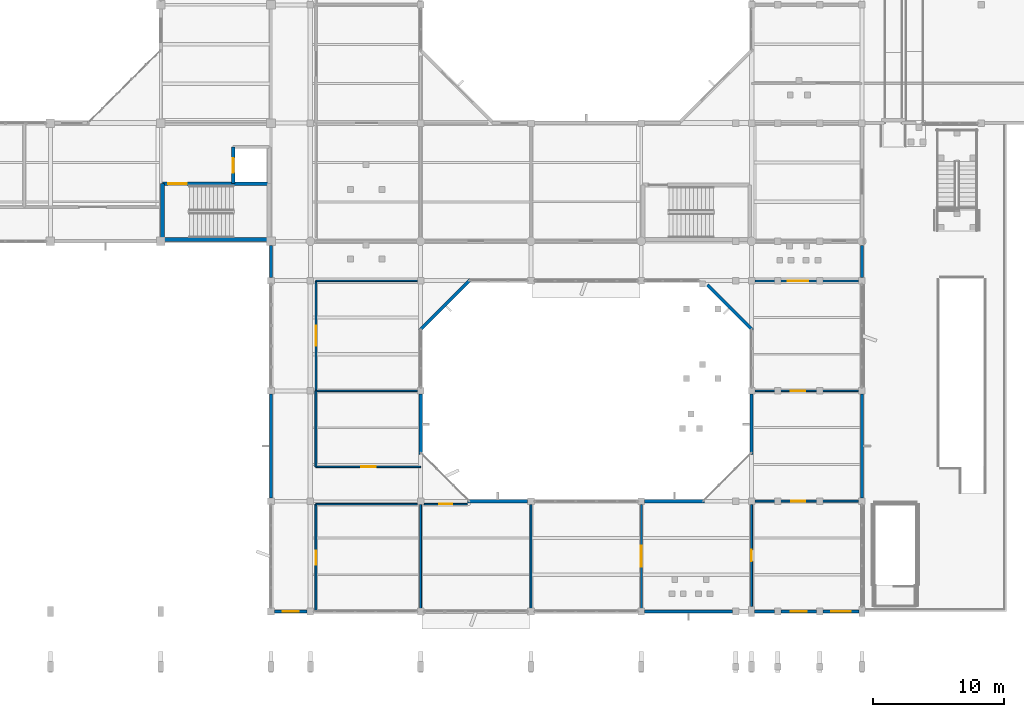
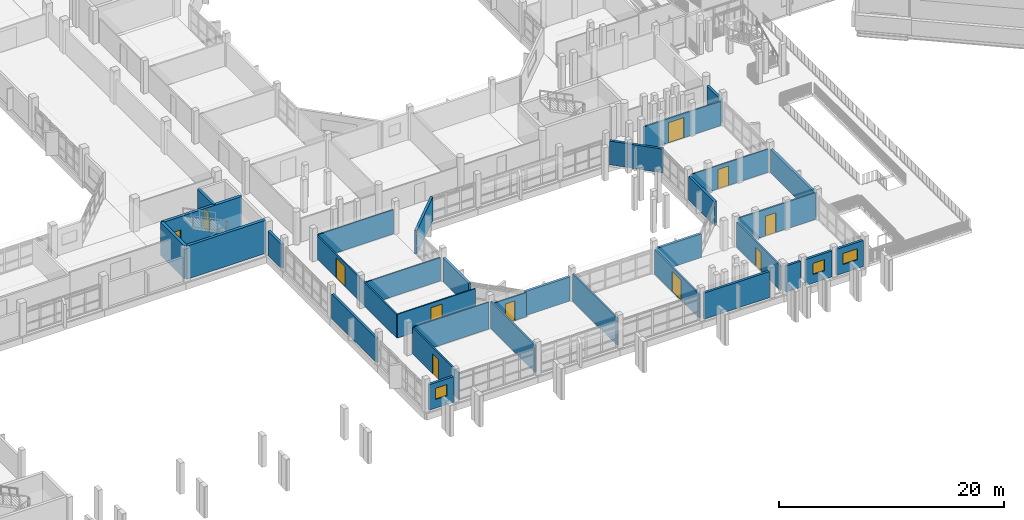
# One storey, part 66 of 104: 34 walls, 11 doors, 3 windows, 14 openings.
"""IFC4 building model written with IfcOpenShell, lengths in metres."""

from ifc_helpers import new_model, si_unit, direction, frame, frame_2d, origin, place, context, subcontext, project, spatial, rectangle, extrude, material, layer, layer_set, type_object, element, fill, save


model = new_model("IFC4")

# Units and contexts
model_context = context("Model", 3, precision=1e-05, world=origin(), true_north=direction((0.0, 1.0)))
body_context = subcontext(model_context, "Body", "Model", "MODEL_VIEW")
ifc_project = project(units=[si_unit("LENGTHUNIT", "METRE"), si_unit("AREAUNIT", "SQUARE_METRE"), si_unit("VOLUMEUNIT", "CUBIC_METRE"), si_unit("PLANEANGLEUNIT", "RADIAN"), si_unit("MASSUNIT", "GRAM", prefix="KILO")], contexts=[model_context])

# Site, building, storey
site_placement = place(None, origin())
site = spatial("IfcSite", under=ifc_project, at=site_placement, CompositionType="ELEMENT")
building_placement = place(site_placement, origin())
building = spatial("IfcBuilding", under=site, at=building_placement, Name="Vanh Quang Courtyard School", CompositionType="ELEMENT")
storey_placement = place(building_placement, frame((0.0, 0.0, 4.199951171875)))
storey = spatial("IfcBuildingStorey", under=building, at=storey_placement, Name="L01", CompositionType="ELEMENT", Elevation=4.199951171875)

# Wall
ifc_material_1 = material(Name="Concrete C35/45", Category="concrete")
ifc_layer_1 = layer(ifc_material_1, 0.300048828125)
ifc_layer_set_1 = layer_set([ifc_layer_1], Name="Concrete C35/45")
wall_type_1 = type_object("IfcWallType", Name="W-CORE-300", PredefinedType="SHEAR", material=ifc_layer_set_1)
wall_1_placement = place(storey_placement, frame((66.139892578125, 32.5400390625, 0.0), z_axis=(0.0, 0.0, 1.0), x_axis=(1.0, 0.0, 0.0)))
element("IfcWall", 1, at=wall_1_placement, inside=storey, type_object=wall_type_1, Name="Wall W-CORE1 (L01)", PredefinedType="SHEAR", context=body_context, shape_type="SweptSolid", body=[
    extrude(rectangle(XDim=8.1201171875, YDim=0.300048828125, at=frame_2d((4.06005859375, 0.0))), origin(), (0.0, 0.0, 1.0), 3.60009765625),
])

# Wall, opening, door
wall_2_placement = place(storey_placement, frame((74.260009765625, 36.780029296875, 0.0), z_axis=(0.0, 0.0, 1.0), x_axis=(-1.0, 0.0, 0.0)))
wall_2 = element("IfcWall", 2, at=wall_2_placement, inside=storey, type_object=wall_type_1, Name="Wall W-CORE1 (L01)", PredefinedType="SHEAR", context=body_context, shape_type="SweptSolid", body=[
    extrude(rectangle(XDim=8.1201171875, YDim=0.300048828125, at=frame_2d((4.06005859375, 0.0))), origin(), (0.0, 0.0, 1.0), 3.60009765625),
])
opening_1_placement = place(wall_2_placement, frame((6.27001953125, 0.0, 0.0)))
opening_1 = element("IfcOpeningElement", 3, at=opening_1_placement, cuts=wall_2, Name="Opening L01-DS4", PredefinedType="OPENING", context=body_context, shape_type="SweptSolid", body=[
    extrude(rectangle(XDim=1.419921875, YDim=2.14990234375, at=frame_2d((0.7099609375, 1.074951171875))), frame((0.0, 0.16015625, 0.0), z_axis=(0.0, -1.0, 0.0), x_axis=(1.0, 0.0, 0.0)), (0.0, 0.0, 1.0), 0.320068359375),
])
ifc_material_2 = material(Name="Painted galvanised steel fire door", Category="steel")
door_type_1 = type_object("IfcDoorType", Name="IDR-ST-1420x2150", OperationType="NOTDEFINED", PredefinedType="DOOR", material=ifc_material_2)
door_1_placement = place(opening_1_placement, frame((1.419921875, 0.0, 0.0), z_axis=(0.0, 0.0, 1.0), x_axis=(-1.0, 0.0, 0.0)))
door_1 = element("IfcDoor", 4, at=door_1_placement, inside=storey, type_object=door_type_1, Name="Door L01-DS4 (L01)", OperationType="SINGLE_SWING_LEFT", OverallHeight=2.14990234375, OverallWidth=1.419921875, PredefinedType="DOOR", context=body_context, shape_type="SweptSolid", body=[
    extrude(rectangle(XDim=1.419921875, YDim=2.14990234375, at=frame_2d((0.7099609375, 1.074951171875))), frame((0.0, 0.02490234375, 0.0), z_axis=(0.0, -1.0, 0.0), x_axis=(1.0, 0.0, 0.0)), (0.0, 0.0, 1.0), 0.050048828125),
])
fill(opening_1, door_1)

# Walls
wall_3_placement = place(storey_placement, frame((66.139892578125, 36.780029296875, 0.0), z_axis=(0.0, 0.0, 1.0), x_axis=(0.0, -1.0, 0.0)))
element("IfcWall", 5, at=wall_3_placement, inside=storey, type_object=wall_type_1, Name="Wall W-CORE1 (L01)", PredefinedType="SHEAR", context=body_context, shape_type="SweptSolid", body=[
    extrude(rectangle(XDim=4.239990234375, YDim=0.300048828125, at=frame_2d((2.1201171875, 0.0))), origin(), (0.0, 0.0, 1.0), 3.60009765625),
])
ifc_material_3 = material(Name="Precast concrete C40/50", Category="concrete")
ifc_layer_2 = layer(ifc_material_3, 0.239990234375)
ifc_layer_set_2 = layer_set([ifc_layer_2], Name="Precast concrete C40/50")
wall_type_2 = type_object("IfcWallType", Name="W-EXT-240", PredefinedType="SOLIDWALL", material=ifc_layer_set_2)
wall_4_placement = place(storey_placement, frame((119.39990234375, 32.076904296875, 0.0), z_axis=(0.0, 0.0, 1.0), x_axis=(0.0, -1.0, 0.0)))
element("IfcWall", 6, at=wall_4_placement, inside=storey, type_object=wall_type_2, Name="Wall WE-03 (L01)", PredefinedType="SOLIDWALL", context=body_context, shape_type="SweptSolid", body=[
    extrude(rectangle(XDim=2.428955078125, YDim=0.239990234375, at=frame_2d((1.21435546875, 0.0))), origin(), (0.0, 0.0, 1.0), 2.580078125),
])
wall_5_placement = place(storey_placement, frame((119.39990234375, 20.751953125, 0.0), z_axis=(0.0, 0.0, 1.0), x_axis=(0.0, -1.0, 0.0)))
element("IfcWall", 7, at=wall_5_placement, inside=storey, type_object=wall_type_2, Name="Wall WE-03 (L01)", PredefinedType="SOLIDWALL", context=body_context, shape_type="SweptSolid", body=[
    extrude(rectangle(XDim=7.904052734375, YDim=0.239990234375, at=frame_2d((3.9521484375, 0.0))), origin(), (0.0, 0.0, 1.0), 2.580078125),
])

# Wall, opening, window
wall_6_placement = place(storey_placement, frame((119.177001953125, 4.199951171875, 0.0), z_axis=(0.0, 0.0, 1.0), x_axis=(-1.0, 0.0, 0.0)))
wall_6 = element("IfcWall", 8, at=wall_6_placement, inside=storey, type_object=wall_type_2, Name="Wall WE-03 (L01)", PredefinedType="SOLIDWALL", context=body_context, shape_type="SweptSolid", body=[
    extrude(rectangle(XDim=2.72900390625, YDim=0.239990234375, at=frame_2d((1.364501953125, 0.0))), origin(), (0.0, 0.0, 1.0), 2.830078125),
])
opening_2_placement = place(wall_6_placement, frame((0.614501953125, 0.0, 0.949951171875)))
opening_2 = element("IfcOpeningElement", 9, at=opening_2_placement, cuts=wall_6, Name="Opening WN-02", PredefinedType="OPENING", context=body_context, shape_type="SweptSolid", body=[
    extrude(rectangle(XDim=1.5, YDim=1.199951171875, at=frame_2d((0.75, 0.60009765625))), frame((0.0, 0.1298828125, 0.0), z_axis=(0.0, -1.0, 0.0), x_axis=(1.0, 0.0, 0.0)), (0.0, 0.0, 1.0), 0.260009765625),
])
ifc_material_4 = material(Name="Anodised aluminium and low-E double glazing", Category="aluminium")
window_type_1 = type_object("IfcWindowType", Name="WIN-TYP-02", PartitioningType="SINGLE_PANEL", PredefinedType="WINDOW", material=ifc_material_4)
window_1_placement = place(opening_2_placement, origin())
window_1 = element("IfcWindow", 10, at=window_1_placement, inside=storey, type_object=window_type_1, Name="Window WN-02 (L01)", OverallHeight=1.199951171875, OverallWidth=1.5, PartitioningType="SINGLE_PANEL", PredefinedType="WINDOW", context=body_context, shape_type="SweptSolid", body=[
    extrude(rectangle(XDim=1.5, YDim=1.199951171875, at=frame_2d((0.75, 0.60009765625))), frame((0.0, 0.030029296875, 0.0), z_axis=(0.0, -1.0, 0.0), x_axis=(1.0, 0.0, 0.0)), (0.0, 0.0, 1.0), 0.06005859375),
])
fill(opening_2, window_1)

wall_7_placement = place(storey_placement, frame((115.951904296875, 4.199951171875, 0.0), z_axis=(0.0, 0.0, 1.0), x_axis=(-1.0, 0.0, 0.0)))
wall_7 = element("IfcWall", 11, at=wall_7_placement, inside=storey, type_object=wall_type_2, Name="Wall WE-03 (L01)", PredefinedType="SOLIDWALL", context=body_context, shape_type="SweptSolid", body=[
    extrude(rectangle(XDim=2.703857421875, YDim=0.239990234375, at=frame_2d((1.35205078125, 0.0))), origin(), (0.0, 0.0, 1.0), 2.830078125),
])
opening_3_placement = place(wall_7_placement, frame((0.751953125, 0.0, 0.949951171875)))
opening_3 = element("IfcOpeningElement", 12, at=opening_3_placement, cuts=wall_7, Name="Opening WN-01", PredefinedType="OPENING", context=body_context, shape_type="SweptSolid", body=[
    extrude(rectangle(XDim=1.199951171875, YDim=1.199951171875, at=frame_2d((0.60009765625, 0.60009765625))), frame((0.0, 0.1298828125, 0.0), z_axis=(0.0, -1.0, 0.0), x_axis=(1.0, 0.0, 0.0)), (0.0, 0.0, 1.0), 0.260009765625),
])
window_type_2 = type_object("IfcWindowType", Name="WIN-TYP-01", PartitioningType="SINGLE_PANEL", PredefinedType="WINDOW", material=ifc_material_4)
window_2_placement = place(opening_3_placement, origin())
window_2 = element("IfcWindow", 13, at=window_2_placement, inside=storey, type_object=window_type_2, Name="Window WN-01 (L01)", OverallHeight=1.199951171875, OverallWidth=1.199951171875, PartitioningType="SINGLE_PANEL", PredefinedType="WINDOW", context=body_context, shape_type="SweptSolid", body=[
    extrude(rectangle(XDim=1.199951171875, YDim=1.199951171875, at=frame_2d((0.60009765625, 0.60009765625))), frame((0.0, 0.030029296875, 0.0), z_axis=(0.0, -1.0, 0.0), x_axis=(1.0, 0.0, 0.0)), (0.0, 0.0, 1.0), 0.06005859375),
])
fill(opening_3, window_2)

# Walls
wall_8_placement = place(storey_placement, frame((112.751953125, 4.199951171875, 0.0), z_axis=(0.0, 0.0, 1.0), x_axis=(-1.0, 0.0, 0.0)))
element("IfcWall", 14, at=wall_8_placement, inside=storey, type_object=wall_type_2, Name="Wall WE-03 (L01)", PredefinedType="SOLIDWALL", context=body_context, shape_type="SweptSolid", body=[
    extrude(rectangle(XDim=1.529052734375, YDim=0.239990234375, at=frame_2d((0.7646484375, 0.0))), origin(), (0.0, 0.0, 1.0), 2.830078125),
])
wall_9_placement = place(storey_placement, frame((109.552001953125, 4.199951171875, 0.0), z_axis=(0.0, 0.0, 1.0), x_axis=(-1.0, 0.0, 0.0)))
element("IfcWall", 15, at=wall_9_placement, inside=storey, type_object=wall_type_2, Name="Wall WE-03 (L01)", PredefinedType="SOLIDWALL", context=body_context, shape_type="SweptSolid", body=[
    extrude(rectangle(XDim=6.7041015625, YDim=0.239990234375, at=frame_2d((3.35205078125, 0.0))), origin(), (0.0, 0.0, 1.0), 2.830078125),
])

# Wall, opening, window
wall_10_placement = place(storey_placement, frame((77.152099609375, 4.199951171875, 0.0), z_axis=(0.0, 0.0, 1.0), x_axis=(-1.0, 0.0, 0.0)))
wall_10 = element("IfcWall", 16, at=wall_10_placement, inside=storey, type_object=wall_type_2, Name="Wall WE-03 (L01)", PredefinedType="SOLIDWALL", context=body_context, shape_type="SweptSolid", body=[
    extrude(rectangle(XDim=2.504150390625, YDim=0.239990234375, at=frame_2d((1.251953125, 0.0))), origin(), (0.0, 0.0, 1.0), 2.77001953125),
])
opening_4_placement = place(wall_10_placement, frame((0.652099609375, 0.0, 0.949951171875)))
opening_4 = element("IfcOpeningElement", 17, at=opening_4_placement, cuts=wall_10, Name="Opening WN-01", PredefinedType="OPENING", context=body_context, shape_type="SweptSolid", body=[
    extrude(rectangle(XDim=1.199951171875, YDim=1.199951171875, at=frame_2d((0.60009765625, 0.60009765625))), frame((0.0, 0.1298828125, 0.0), z_axis=(0.0, -1.0, 0.0), x_axis=(1.0, 0.0, 0.0)), (0.0, 0.0, 1.0), 0.260009765625),
])
window_3_placement = place(opening_4_placement, origin())
window_3 = element("IfcWindow", 18, at=window_3_placement, inside=storey, type_object=window_type_2, Name="Window WN-01 (L01)", OverallHeight=1.199951171875, OverallWidth=1.199951171875, PartitioningType="SINGLE_PANEL", PredefinedType="WINDOW", context=body_context, shape_type="SweptSolid", body=[
    extrude(rectangle(XDim=1.199951171875, YDim=1.199951171875, at=frame_2d((0.60009765625, 0.60009765625))), frame((0.0, 0.030029296875, 0.0), z_axis=(0.0, -1.0, 0.0), x_axis=(1.0, 0.0, 0.0)), (0.0, 0.0, 1.0), 0.06005859375),
])
fill(opening_4, window_3)

# Walls
wall_11_placement = place(storey_placement, frame((74.39990234375, 12.847900390625, 0.0), z_axis=(0.0, 0.0, 1.0), x_axis=(0.0, 1.0, 0.0)))
element("IfcWall", 19, at=wall_11_placement, inside=storey, type_object=wall_type_2, Name="Wall WE-03 (L01)", PredefinedType="SOLIDWALL", context=body_context, shape_type="SweptSolid", body=[
    extrude(rectangle(XDim=7.904052734375, YDim=0.239990234375, at=frame_2d((3.9521484375, 0.0))), origin(), (0.0, 0.0, 1.0), 2.6201171875),
])
wall_12_placement = place(storey_placement, frame((74.39990234375, 29.64794921875, 0.0), z_axis=(0.0, 0.0, 1.0), x_axis=(0.0, 1.0, 0.0)))
element("IfcWall", 20, at=wall_12_placement, inside=storey, type_object=wall_type_2, Name="Wall WE-03 (L01)", PredefinedType="SOLIDWALL", context=body_context, shape_type="SweptSolid", body=[
    extrude(rectangle(XDim=2.428955078125, YDim=0.239990234375, at=frame_2d((1.21435546875, 0.0))), origin(), (0.0, 0.0, 1.0), 2.60009765625),
])
wall_13_placement = place(storey_placement, frame((89.3759765625, 12.60009765625, 0.0), z_axis=(0.0, 0.0, 1.0), x_axis=(1.0, 0.0, 0.0)))
element("IfcWall", 21, at=wall_13_placement, inside=storey, type_object=wall_type_2, Name="Wall WE-03 (L01)", PredefinedType="SOLIDWALL", context=body_context, shape_type="SweptSolid", body=[
    extrude(rectangle(XDim=4.575927734375, YDim=0.239990234375, at=frame_2d((2.2880859375, 0.0))), origin(), (0.0, 0.0, 1.0), 2.6201171875),
])
wall_14_placement = place(storey_placement, frame((102.847900390625, 12.60009765625, 0.0), z_axis=(0.0, 0.0, 1.0), x_axis=(1.0, 0.0, 0.0)))
element("IfcWall", 22, at=wall_14_placement, inside=storey, type_object=wall_type_2, Name="Wall WE-03 (L01)", PredefinedType="SOLIDWALL", context=body_context, shape_type="SweptSolid", body=[
    extrude(rectangle(XDim=4.576171875, YDim=0.239990234375, at=frame_2d((2.2880859375, 0.0))), origin(), (0.0, 0.0, 1.0), 2.580078125),
])
wall_15_placement = place(storey_placement, frame((111.0, 16.176025390625, 0.0), z_axis=(0.0, 0.0, 1.0), x_axis=(0.0, 1.0, 0.0)))
element("IfcWall", 23, at=wall_15_placement, inside=storey, type_object=wall_type_2, Name="Wall WE-03 (L01)", PredefinedType="SOLIDWALL", context=body_context, shape_type="SweptSolid", body=[
    extrude(rectangle(XDim=4.575927734375, YDim=0.239990234375, at=frame_2d((2.2880859375, 0.0))), origin(), (0.0, 0.0, 1.0), 2.580078125),
])
wall_16_placement = place(storey_placement, frame((111.0849609375, 25.619140625, 0.0), z_axis=(0.0, 0.0, 1.0), x_axis=(-0.707131732466, 0.707081829027, 0.0)))
element("IfcWall", 24, at=wall_16_placement, inside=storey, type_object=wall_type_2, Name="Wall WE-03 (L01)", PredefinedType="SOLIDWALL", context=body_context, shape_type="SweptSolid", body=[
    extrude(rectangle(XDim=4.892333984375, YDim=0.239990234375, at=frame_2d((2.4462890625, 0.0))), origin(), (0.0, 0.0, 1.0), 2.580078125),
])
wall_17_placement = place(storey_placement, frame((89.580810546875, 29.48486328125, 0.0), z_axis=(0.0, 0.0, 1.0), x_axis=(-0.707106781187, -0.707106781187, 0.0)))
element("IfcWall", 25, at=wall_17_placement, inside=storey, type_object=wall_type_2, Name="Wall WE-03 (L01)", PredefinedType="SOLIDWALL", context=body_context, shape_type="SweptSolid", body=[
    extrude(rectangle(XDim=5.467041015625, YDim=0.239990234375, at=frame_2d((2.7333984375, 0.0))), origin(), (0.0, 0.0, 1.0), 2.580078125),
])
wall_18_placement = place(storey_placement, frame((85.800048828125, 20.751953125, 0.0), z_axis=(0.0, 0.0, 1.0), x_axis=(0.0, -1.0, 0.0)))
element("IfcWall", 26, at=wall_18_placement, inside=storey, type_object=wall_type_2, Name="Wall WE-03 (L01)", PredefinedType="SOLIDWALL", context=body_context, shape_type="SweptSolid", body=[
    extrude(rectangle(XDim=4.575927734375, YDim=0.239990234375, at=frame_2d((2.2880859375, 0.0))), origin(), (0.0, 0.0, 1.0), 2.580078125),
])
ifc_material_5 = material(Name="Acoustic gypsum stud partition", Category="gypsum")
ifc_layer_3 = layer(ifc_material_5, 0.1201171875)
ifc_layer_set_3 = layer_set([ifc_layer_3], Name="Acoustic gypsum stud partition")
wall_type_3 = type_object("IfcWallType", Name="W-PART-120", PredefinedType="PARTITIONING", material=ifc_layer_set_3)
wall_19_placement = place(storey_placement, frame((77.820068359375, 12.3798828125, 0.0), z_axis=(0.0, 0.0, 1.0), x_axis=(1.0, 0.0, 0.0)))
element("IfcWall", 27, at=wall_19_placement, inside=storey, type_object=wall_type_3, Name="Wall W-PRT2 (L01)", PredefinedType="PARTITIONING", context=body_context, shape_type="SweptSolid", body=[
    extrude(rectangle(XDim=7.73193359375, YDim=0.1201171875, at=frame_2d((3.865966796875, 0.0))), origin(), (0.0, 0.0, 1.0), 2.929931640625),
])

# Wall, opening, door
wall_20_placement = place(storey_placement, frame((85.800048828125, 15.219970703125, 0.0), z_axis=(0.0, 0.0, 1.0), x_axis=(-1.0, 0.0, 0.0)))
wall_20 = element("IfcWall", 28, at=wall_20_placement, inside=storey, type_object=wall_type_3, Name="Wall W-PRT2 (L01)", PredefinedType="PARTITIONING", context=body_context, shape_type="SweptSolid", body=[
    extrude(rectangle(XDim=7.97998046875, YDim=0.1201171875, at=frame_2d((3.989990234375, 0.0))), origin(), (0.0, 0.0, 1.0), 2.580078125),
])
opening_5_placement = place(wall_20_placement, frame((3.43994140625, 0.0, 0.0)))
opening_5 = element("IfcOpeningElement", 29, at=opening_5_placement, cuts=wall_20, Name="Opening L01-D064", PredefinedType="OPENING", context=body_context, shape_type="SweptSolid", body=[
    extrude(rectangle(XDim=1.10009765625, YDim=2.10009765625, at=frame_2d((0.550048828125, 1.050048828125))), frame((0.0, 0.070068359375, 0.0), z_axis=(0.0, -1.0, 0.0), x_axis=(1.0, 0.0, 0.0)), (0.0, 0.0, 1.0), 0.14013671875),
])
ifc_material_6 = material(Name="Solid-core hardwood acoustic door", Category="wood")
door_type_2 = type_object("IfcDoorType", Name="IDR-CLS-1100x2100", OperationType="NOTDEFINED", PredefinedType="DOOR", material=ifc_material_6)
door_2_placement = place(opening_5_placement, origin())
door_2 = element("IfcDoor", 30, at=door_2_placement, inside=storey, type_object=door_type_2, Name="Door L01-D064 (L01)", OperationType="SINGLE_SWING_LEFT", OverallHeight=2.10009765625, OverallWidth=1.10009765625, PredefinedType="DOOR", context=body_context, shape_type="SweptSolid", body=[
    extrude(rectangle(XDim=1.10009765625, YDim=2.10009765625, at=frame_2d((0.550048828125, 1.050048828125))), frame((0.0, 0.02490234375, 0.0), z_axis=(0.0, -1.0, 0.0), x_axis=(1.0, 0.0, 0.0)), (0.0, 0.0, 1.0), 0.050048828125),
])
fill(opening_5, door_2)

# Walls
wall_21_placement = place(storey_placement, frame((77.820068359375, 21.0, 0.0), z_axis=(0.0, 0.0, 1.0), x_axis=(1.0, 0.0, 0.0)))
element("IfcWall", 31, at=wall_21_placement, inside=storey, type_object=wall_type_3, Name="Wall W-PRT2 (L01)", PredefinedType="PARTITIONING", context=body_context, shape_type="SweptSolid", body=[
    extrude(rectangle(XDim=7.73193359375, YDim=0.1201171875, at=frame_2d((3.865966796875, 0.0))), origin(), (0.0, 0.0, 1.0), 2.530029296875),
])
wall_22_placement = place(storey_placement, frame((77.820068359375, 29.3798828125, 0.0), z_axis=(0.0, 0.0, 1.0), x_axis=(1.0, 0.0, 0.0)))
element("IfcWall", 32, at=wall_22_placement, inside=storey, type_object=wall_type_3, Name="Wall W-PRT2 (L01)", PredefinedType="PARTITIONING", context=body_context, shape_type="SweptSolid", body=[
    extrude(rectangle(XDim=7.73193359375, YDim=0.1201171875, at=frame_2d((3.865966796875, 0.0))), origin(), (0.0, 0.0, 1.0), 2.630126953125),
])

# Wall, opening, door
wall_23_placement = place(storey_placement, frame((86.048095703125, 12.380126953125, 0.0), z_axis=(0.0, 0.0, 1.0), x_axis=(0.99999997562, 0.00022081554, 0.0)))
wall_23 = element("IfcWall", 33, at=wall_23_placement, inside=storey, type_object=wall_type_3, Name="Wall W-PRT2 (L01)", PredefinedType="PARTITIONING", context=body_context, shape_type="SweptSolid", body=[
    extrude(rectangle(XDim=3.31689453125, YDim=0.1201171875, at=frame_2d((1.658447265625, 0.0))), origin(), (0.0, 0.0, 1.0), 2.6201171875),
])
opening_6_placement = place(wall_23_placement, frame((1.16845703125, 0.0, 0.0)))
opening_6 = element("IfcOpeningElement", 34, at=opening_6_placement, cuts=wall_23, Name="Opening L01-D071", PredefinedType="OPENING", context=body_context, shape_type="SweptSolid", body=[
    extrude(rectangle(XDim=0.97998046875, YDim=2.1201171875, at=frame_2d((0.489990234375, 1.06005859375))), frame((0.0, 0.070068359375, 0.0), z_axis=(0.0, -1.0, 0.0), x_axis=(1.0, 0.0, 0.0)), (0.0, 0.0, 1.0), 0.14013671875),
])
door_type_3 = type_object("IfcDoorType", Name="IDR-CLS-1050x2100", OperationType="NOTDEFINED", PredefinedType="DOOR", material=ifc_material_6)
door_3_placement = place(opening_6_placement, origin())
door_3 = element("IfcDoor", 35, at=door_3_placement, inside=storey, type_object=door_type_3, Name="Door L01-D071 (L01)", OperationType="SINGLE_SWING_RIGHT", OverallHeight=2.1201171875, OverallWidth=0.97998046875, PredefinedType="DOOR", context=body_context, shape_type="SweptSolid", body=[
    extrude(rectangle(XDim=0.97998046875, YDim=2.1201171875, at=frame_2d((0.489990234375, 1.06005859375))), frame((0.0, 0.02490234375, 0.0), z_axis=(0.0, -1.0, 0.0), x_axis=(1.0, 0.0, 0.0)), (0.0, 0.0, 1.0), 0.050048828125),
])
fill(opening_6, door_3)

wall_24_placement = place(storey_placement, frame((111.248046875, 21.0, 0.0), z_axis=(0.0, 0.0, 1.0), x_axis=(1.0, 0.0, 0.0)))
wall_24 = element("IfcWall", 36, at=wall_24_placement, inside=storey, type_object=wall_type_3, Name="Wall W-PRT2 (L01)", PredefinedType="PARTITIONING", context=body_context, shape_type="SweptSolid", body=[
    extrude(rectangle(XDim=7.904052734375, YDim=0.1201171875, at=frame_2d((3.9521484375, 0.0))), origin(), (0.0, 0.0, 1.0), 2.530029296875),
])
opening_7_placement = place(wall_24_placement, frame((2.751953125, 0.0, 0.0)))
opening_7 = element("IfcOpeningElement", 37, at=opening_7_placement, cuts=wall_24, Name="Opening L01-D084", PredefinedType="OPENING", context=body_context, shape_type="SweptSolid", body=[
    extrude(rectangle(XDim=1.10009765625, YDim=2.10009765625, at=frame_2d((0.550048828125, 1.050048828125))), frame((0.0, 0.070068359375, 0.0), z_axis=(0.0, -1.0, 0.0), x_axis=(1.0, 0.0, 0.0)), (0.0, 0.0, 1.0), 0.14013671875),
])
door_4_placement = place(opening_7_placement, origin())
door_4 = element("IfcDoor", 38, at=door_4_placement, inside=storey, type_object=door_type_2, Name="Door L01-D084 (L01)", OperationType="SINGLE_SWING_LEFT", OverallHeight=2.10009765625, OverallWidth=1.10009765625, PredefinedType="DOOR", context=body_context, shape_type="SweptSolid", body=[
    extrude(rectangle(XDim=1.10009765625, YDim=2.10009765625, at=frame_2d((0.550048828125, 1.050048828125))), frame((0.0, 0.02490234375, 0.0), z_axis=(0.0, -1.0, 0.0), x_axis=(1.0, 0.0, 0.0)), (0.0, 0.0, 1.0), 0.050048828125),
])
fill(opening_7, door_4)

ifc_material_7 = material(Name="Autoclaved aerated masonry blockwork", Category="masonry")
ifc_layer_4 = layer(ifc_material_7, 0.14990234375)
ifc_layer_set_4 = layer_set([ifc_layer_4], Name="Autoclaved aerated masonry blockwork")
wall_type_4 = type_object("IfcWallType", Name="W-PART-150", PredefinedType="PARTITIONING", material=ifc_layer_set_4)
wall_25_placement = place(storey_placement, frame((77.820068359375, 4.199951171875, 0.0), z_axis=(0.0, 0.0, 1.0), x_axis=(0.0, 1.0, 0.0)))
wall_25 = element("IfcWall", 39, at=wall_25_placement, inside=storey, type_object=wall_type_4, Name="Wall W-PRT1 (L01)", PredefinedType="PARTITIONING", context=body_context, shape_type="SweptSolid", body=[
    extrude(rectangle(XDim=8.179931640625, YDim=0.14990234375, at=frame_2d((4.08984375, 0.0))), origin(), (0.0, 0.0, 1.0), 2.8701171875),
])
opening_8_placement = place(wall_25_placement, frame((3.56494140625, 0.0, 0.0)))
opening_8 = element("IfcOpeningElement", 40, at=opening_8_placement, cuts=wall_25, Name="Opening L01-D063", PredefinedType="OPENING", context=body_context, shape_type="SweptSolid", body=[
    extrude(rectangle(XDim=1.050048828125, YDim=2.14990234375, at=frame_2d((0.52490234375, 1.074951171875))), frame((0.0, 0.0849609375, 0.0), z_axis=(0.0, -1.0, 0.0), x_axis=(1.0, 0.0, 0.0)), (0.0, 0.0, 1.0), 0.169921875),
])
door_type_4 = type_object("IfcDoorType", Name="IDR-FD-1050x2150", OperationType="NOTDEFINED", PredefinedType="DOOR", material=ifc_material_2)
door_5_placement = place(opening_8_placement, origin())
door_5 = element("IfcDoor", 41, at=door_5_placement, inside=storey, type_object=door_type_4, Name="Door L01-D063 (L01)", OperationType="SINGLE_SWING_RIGHT", OverallHeight=2.14990234375, OverallWidth=1.050048828125, PredefinedType="DOOR", context=body_context, shape_type="SweptSolid", body=[
    extrude(rectangle(XDim=1.050048828125, YDim=2.14990234375, at=frame_2d((0.52490234375, 1.074951171875))), frame((0.0, 0.02490234375, 0.0), z_axis=(0.0, -1.0, 0.0), x_axis=(1.0, 0.0, 0.0)), (0.0, 0.0, 1.0), 0.050048828125),
])
fill(opening_8, door_5)

# Walls
wall_26_placement = place(storey_placement, frame((85.800048828125, 12.35205078125, 0.0), z_axis=(0.0, 0.0, 1.0), x_axis=(0.0, -1.0, 0.0)))
element("IfcWall", 42, at=wall_26_placement, inside=storey, type_object=wall_type_4, Name="Wall W-PRT1 (L01)", PredefinedType="PARTITIONING", context=body_context, shape_type="SweptSolid", body=[
    extrude(rectangle(XDim=7.904052734375, YDim=0.14990234375, at=frame_2d((3.9521484375, 0.0))), origin(), (0.0, 0.0, 1.0), 2.920166015625),
])
wall_27_placement = place(storey_placement, frame((77.820068359375, 15.219970703125, 0.0), z_axis=(0.0, 0.0, 1.0), x_axis=(0.0, 1.0, 0.0)))
element("IfcWall", 43, at=wall_27_placement, inside=storey, type_object=wall_type_4, Name="Wall W-PRT1 (L01)", PredefinedType="PARTITIONING", context=body_context, shape_type="SweptSolid", body=[
    extrude(rectangle(XDim=5.780029296875, YDim=0.14990234375, at=frame_2d((2.89013671875, 0.0))), origin(), (0.0, 0.0, 1.0), 2.530029296875),
])

# Wall, opening, door
wall_28_placement = place(storey_placement, frame((77.820068359375, 21.02001953125, 0.0), z_axis=(0.0, 0.0, 1.0), x_axis=(0.0, 1.0, 0.0)))
wall_28 = element("IfcWall", 44, at=wall_28_placement, inside=storey, type_object=wall_type_4, Name="Wall W-PRT1 (L01)", PredefinedType="PARTITIONING", context=body_context, shape_type="SweptSolid", body=[
    extrude(rectangle(XDim=8.35986328125, YDim=0.14990234375, at=frame_2d((4.179931640625, 0.0))), origin(), (0.0, 0.0, 1.0), 2.530029296875),
])
opening_9_placement = place(wall_28_placement, frame((3.405029296875, 0.0, 0.0)))
opening_9 = element("IfcOpeningElement", 45, at=opening_9_placement, cuts=wall_28, Name="Opening L01-D065", PredefinedType="OPENING", context=body_context, shape_type="SweptSolid", body=[
    extrude(rectangle(XDim=1.550048828125, YDim=2.199951171875, at=frame_2d((0.77490234375, 1.10009765625))), frame((0.0, 0.0849609375, 0.0), z_axis=(0.0, -1.0, 0.0), x_axis=(1.0, 0.0, 0.0)), (0.0, 0.0, 1.0), 0.169921875),
])
door_type_5 = type_object("IfcDoorType", Name="IDR-KIT-1550x2200", OperationType="NOTDEFINED", PredefinedType="DOOR", material=ifc_material_2)
door_6_placement = place(opening_9_placement, origin())
door_6 = element("IfcDoor", 46, at=door_6_placement, inside=storey, type_object=door_type_5, Name="Door L01-D065 (L01)", OperationType="DOUBLE_DOOR_SINGLE_SWING", OverallHeight=2.199951171875, OverallWidth=1.550048828125, PredefinedType="DOOR", context=body_context, shape_type="SweptSolid", body=[
    extrude(rectangle(XDim=1.550048828125, YDim=2.199951171875, at=frame_2d((0.77490234375, 1.10009765625))), frame((0.0, 0.02490234375, 0.0), z_axis=(0.0, -1.0, 0.0), x_axis=(1.0, 0.0, 0.0)), (0.0, 0.0, 1.0), 0.050048828125),
])
fill(opening_9, door_6)

# Wall
wall_29_placement = place(storey_placement, frame((94.199951171875, 12.35205078125, 0.0), z_axis=(0.0, 0.0, 1.0), x_axis=(0.0, -1.0, 0.0)))
element("IfcWall", 47, at=wall_29_placement, inside=storey, type_object=wall_type_4, Name="Wall W-PRT1 (L01)", PredefinedType="PARTITIONING", context=body_context, shape_type="SweptSolid", body=[
    extrude(rectangle(XDim=7.904052734375, YDim=0.14990234375, at=frame_2d((3.9521484375, 0.0))), origin(), (0.0, 0.0, 1.0), 2.9599609375),
])

# Wall, opening, door
wall_30_placement = place(storey_placement, frame((102.60009765625, 12.35205078125, 0.0), z_axis=(0.0, 0.0, 1.0), x_axis=(0.0, -1.0, 0.0)))
wall_30 = element("IfcWall", 48, at=wall_30_placement, inside=storey, type_object=wall_type_4, Name="Wall W-PRT1 (L01)", PredefinedType="PARTITIONING", context=body_context, shape_type="SweptSolid", body=[
    extrude(rectangle(XDim=7.904052734375, YDim=0.14990234375, at=frame_2d((3.9521484375, 0.0))), origin(), (0.0, 0.0, 1.0), 2.630126953125),
])
opening_10_placement = place(wall_30_placement, frame((3.152099609375, 0.0, 0.0)))
opening_10 = element("IfcOpeningElement", 49, at=opening_10_placement, cuts=wall_30, Name="Opening L01-D076", PredefinedType="OPENING", context=body_context, shape_type="SweptSolid", body=[
    extrude(rectangle(XDim=1.60009765625, YDim=2.199951171875, at=frame_2d((0.800048828125, 1.10009765625))), frame((0.0, 0.0849609375, 0.0), z_axis=(0.0, -1.0, 0.0), x_axis=(1.0, 0.0, 0.0)), (0.0, 0.0, 1.0), 0.169921875),
])
door_type_6 = type_object("IfcDoorType", Name="IDR-FD-1600x2200", OperationType="NOTDEFINED", PredefinedType="DOOR", material=ifc_material_2)
door_7_placement = place(opening_10_placement, origin())
door_7 = element("IfcDoor", 50, at=door_7_placement, inside=storey, type_object=door_type_6, Name="Door L01-D076 (L01)", OperationType="DOUBLE_DOOR_SINGLE_SWING", OverallHeight=2.199951171875, OverallWidth=1.60009765625, PredefinedType="DOOR", context=body_context, shape_type="SweptSolid", body=[
    extrude(rectangle(XDim=1.60009765625, YDim=2.199951171875, at=frame_2d((0.800048828125, 1.10009765625))), frame((0.0, 0.02490234375, 0.0), z_axis=(0.0, -1.0, 0.0), x_axis=(1.0, 0.0, 0.0)), (0.0, 0.0, 1.0), 0.050048828125),
])
fill(opening_10, door_7)

wall_31_placement = place(storey_placement, frame((111.0, 12.35205078125, 0.0), z_axis=(0.0, 0.0, 1.0), x_axis=(0.0, -1.0, 0.0)))
wall_31 = element("IfcWall", 51, at=wall_31_placement, inside=storey, type_object=wall_type_4, Name="Wall W-PRT1 (L01)", PredefinedType="PARTITIONING", context=body_context, shape_type="SweptSolid", body=[
    extrude(rectangle(XDim=7.779052734375, YDim=0.14990234375, at=frame_2d((3.8896484375, 0.0))), origin(), (0.0, 0.0, 1.0), 2.679931640625),
])
opening_11_placement = place(wall_31_placement, frame((3.439453125, 0.0, 0.0)))
opening_11 = element("IfcOpeningElement", 52, at=opening_11_placement, cuts=wall_31, Name="Opening L01-D080", PredefinedType="OPENING", context=body_context, shape_type="SweptSolid", body=[
    extrude(rectangle(XDim=0.89990234375, YDim=2.050048828125, at=frame_2d((0.449951171875, 1.02490234375))), frame((0.0, 0.0849609375, 0.0), z_axis=(0.0, -1.0, 0.0), x_axis=(1.0, 0.0, 0.0)), (0.0, 0.0, 1.0), 0.169921875),
])
door_type_7 = type_object("IfcDoorType", Name="IDR-RS-0900x2050", OperationType="NOTDEFINED", PredefinedType="DOOR", material=ifc_material_2)
door_8_placement = place(opening_11_placement, origin())
door_8 = element("IfcDoor", 53, at=door_8_placement, inside=storey, type_object=door_type_7, Name="Door L01-D080 (L01)", OperationType="SINGLE_SWING_LEFT", OverallHeight=2.050048828125, OverallWidth=0.89990234375, PredefinedType="DOOR", context=body_context, shape_type="SweptSolid", body=[
    extrude(rectangle(XDim=0.89990234375, YDim=2.050048828125, at=frame_2d((0.449951171875, 1.02490234375))), frame((0.0, 0.02490234375, 0.0), z_axis=(0.0, -1.0, 0.0), x_axis=(1.0, 0.0, 0.0)), (0.0, 0.0, 1.0), 0.050048828125),
])
fill(opening_11, door_8)

wall_32_placement = place(storey_placement, frame((111.248046875, 12.60009765625, 0.0), z_axis=(0.0, 0.0, 1.0), x_axis=(1.0, 0.0, 0.0)))
wall_32 = element("IfcWall", 54, at=wall_32_placement, inside=storey, type_object=wall_type_4, Name="Wall W-PRT1 (L01)", PredefinedType="PARTITIONING", context=body_context, shape_type="SweptSolid", body=[
    extrude(rectangle(XDim=7.904052734375, YDim=0.14990234375, at=frame_2d((3.9521484375, 0.0))), origin(), (0.0, 0.0, 1.0), 2.89013671875),
])
opening_12_placement = place(wall_32_placement, frame((2.777099609375, 0.0, 0.0)))
opening_12 = element("IfcOpeningElement", 55, at=opening_12_placement, cuts=wall_32, Name="Opening L01-D083", PredefinedType="OPENING", context=body_context, shape_type="SweptSolid", body=[
    extrude(rectangle(XDim=1.050048828125, YDim=2.14990234375, at=frame_2d((0.52490234375, 1.074951171875))), frame((0.0, 0.0849609375, 0.0), z_axis=(0.0, -1.0, 0.0), x_axis=(1.0, 0.0, 0.0)), (0.0, 0.0, 1.0), 0.169921875),
])
door_9_placement = place(opening_12_placement, origin())
door_9 = element("IfcDoor", 56, at=door_9_placement, inside=storey, type_object=door_type_4, Name="Door L01-D083 (L01)", OperationType="SINGLE_SWING_RIGHT", OverallHeight=2.14990234375, OverallWidth=1.050048828125, PredefinedType="DOOR", context=body_context, shape_type="SweptSolid", body=[
    extrude(rectangle(XDim=1.050048828125, YDim=2.14990234375, at=frame_2d((0.52490234375, 1.074951171875))), frame((0.0, 0.02490234375, 0.0), z_axis=(0.0, -1.0, 0.0), x_axis=(1.0, 0.0, 0.0)), (0.0, 0.0, 1.0), 0.050048828125),
])
fill(opening_12, door_9)

wall_33_placement = place(storey_placement, frame((111.248046875, 29.3798828125, 0.0), z_axis=(0.0, 0.0, 1.0), x_axis=(1.0, 0.0, 0.0)))
wall_33 = element("IfcWall", 57, at=wall_33_placement, inside=storey, type_object=wall_type_4, Name="Wall W-PRT1 (L01)", PredefinedType="PARTITIONING", context=body_context, shape_type="SweptSolid", body=[
    extrude(rectangle(XDim=7.904052734375, YDim=0.14990234375, at=frame_2d((3.9521484375, 0.0))), origin(), (0.0, 0.0, 1.0), 2.630126953125),
])
opening_13_placement = place(wall_33_placement, frame((2.527099609375, 0.0, 0.0)))
opening_13 = element("IfcOpeningElement", 58, at=opening_13_placement, cuts=wall_33, Name="Opening L01-D085", PredefinedType="OPENING", context=body_context, shape_type="SweptSolid", body=[
    extrude(rectangle(XDim=1.550048828125, YDim=2.199951171875, at=frame_2d((0.77490234375, 1.10009765625))), frame((0.0, 0.0849609375, 0.0), z_axis=(0.0, -1.0, 0.0), x_axis=(1.0, 0.0, 0.0)), (0.0, 0.0, 1.0), 0.169921875),
])
door_10_placement = place(opening_13_placement, origin())
door_10 = element("IfcDoor", 59, at=door_10_placement, inside=storey, type_object=door_type_5, Name="Door L01-D085 (L01)", OperationType="DOUBLE_DOOR_SINGLE_SWING", OverallHeight=2.199951171875, OverallWidth=1.550048828125, PredefinedType="DOOR", context=body_context, shape_type="SweptSolid", body=[
    extrude(rectangle(XDim=1.550048828125, YDim=2.199951171875, at=frame_2d((0.77490234375, 1.10009765625))), frame((0.0, 0.02490234375, 0.0), z_axis=(0.0, -1.0, 0.0), x_axis=(1.0, 0.0, 0.0)), (0.0, 0.0, 1.0), 0.050048828125),
])
fill(opening_13, door_10)

ifc_layer_5 = layer(ifc_material_1, 0.25)
ifc_layer_set_5 = layer_set([ifc_layer_5], Name="Concrete C35/45")
wall_type_5 = type_object("IfcWallType", Name="W-SHFT-250", PredefinedType="SHEAR", material=ifc_layer_set_5)
wall_34_placement = place(storey_placement, frame((71.52001953125, 39.580078125, 0.0), z_axis=(0.0, 0.0, 1.0), x_axis=(0.0, -1.0, 0.0)))
wall_34 = element("IfcWall", 60, at=wall_34_placement, inside=storey, type_object=wall_type_5, Name="Wall W-SHFT1 (L01)", PredefinedType="SHEAR", context=body_context, shape_type="SweptSolid", body=[
    extrude(rectangle(XDim=2.800048828125, YDim=0.25, at=frame_2d((1.39990234375, 0.0))), origin(), (0.0, 0.0, 1.0), 3.60009765625),
])
opening_14_placement = place(wall_34_placement, frame((0.85009765625, 0.0, 0.0)))
opening_14 = element("IfcOpeningElement", 61, at=opening_14_placement, cuts=wall_34, Name="Opening LD-04-L01", PredefinedType="OPENING", context=body_context, shape_type="SweptSolid", body=[
    extrude(rectangle(XDim=1.10009765625, YDim=2.14990234375, at=frame_2d((0.550048828125, 1.074951171875))), frame((0.0, 0.135009765625, 0.0), z_axis=(0.0, -1.0, 0.0), x_axis=(1.0, 0.0, 0.0)), (0.0, 0.0, 1.0), 0.27001953125),
])
door_type_8 = type_object("IfcDoorType", Name="IDR-LD-1100x2150", OperationType="NOTDEFINED", PredefinedType="DOOR", material=ifc_material_2)
door_11_placement = place(opening_14_placement, origin())
door_11 = element("IfcDoor", 62, at=door_11_placement, inside=storey, type_object=door_type_8, Name="Door LD-04-L01 (L01)", OperationType="DOUBLE_DOOR_SLIDING", OverallHeight=2.14990234375, OverallWidth=1.10009765625, PredefinedType="DOOR", context=body_context, shape_type="SweptSolid", body=[
    extrude(rectangle(XDim=1.10009765625, YDim=2.14990234375, at=frame_2d((0.550048828125, 1.074951171875))), frame((0.0, 0.02490234375, 0.0), z_axis=(0.0, -1.0, 0.0), x_axis=(1.0, 0.0, 0.0)), (0.0, 0.0, 1.0), 0.050048828125),
])
fill(opening_14, door_11)

save(model, "model.ifc")
